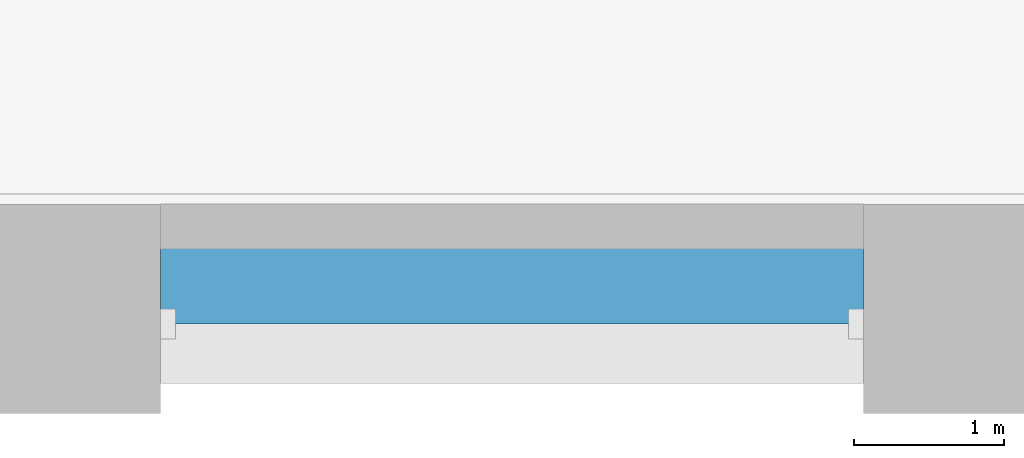
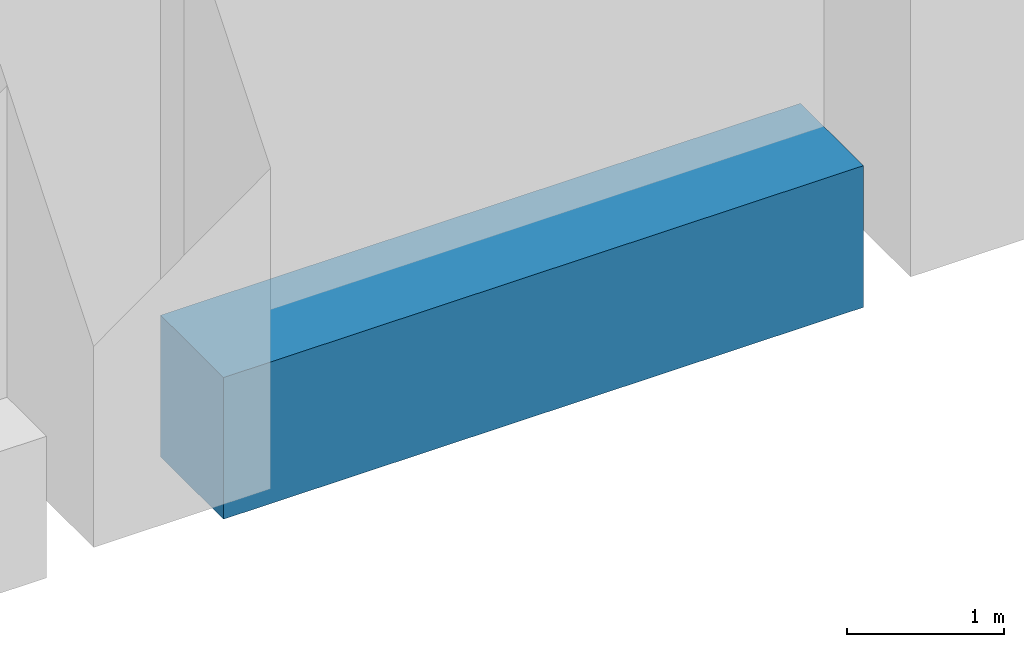
# One storey, part 3 of 18: 1 beam.
"""IFC4 building model written with IfcOpenShell, lengths in metres."""

from ifc_helpers import new_model, si_unit, direction, frame, origin, origin_2d, place, context, subcontext, project, spatial, rectangle, extrude, material, material_profile, profile_set, type_object, element, save


model = new_model("IFC4")

# Units and contexts
model_context = context("Model", 3, precision=1e-05, world=origin(), true_north=direction((0.0, 1.0)))
body_context = subcontext(model_context, "Body", "Model", "MODEL_VIEW")
ifc_project = project(units=[si_unit("LENGTHUNIT", "METRE"), si_unit("AREAUNIT", "SQUARE_METRE"), si_unit("VOLUMEUNIT", "CUBIC_METRE"), si_unit("PLANEANGLEUNIT", "RADIAN"), si_unit("MASSUNIT", "GRAM", prefix="KILO")], contexts=[model_context])

# Site, building, storey
site_placement = place(None, origin())
site = spatial("IfcSite", under=ifc_project, at=site_placement, CompositionType="ELEMENT")
building_placement = place(site_placement, origin())
building = spatial("IfcBuilding", under=site, at=building_placement, Name="Calvaro Tower", CompositionType="ELEMENT")
storey_placement = place(building_placement, frame((0.0, 0.0, 11.300048828125)))
storey = spatial("IfcBuildingStorey", under=building, at=storey_placement, Name="L02", CompositionType="ELEMENT", Elevation=11.300048828125)

# Beam
ifc_material = material(Name="Concrete C50/60 precast", Category="concrete")
ifc_material_profile = material_profile(ifc_material, rectangle(XDim=0.800048828125, YDim=1.10009765625, at=origin_2d()), Name="RC 800x1100")
ifc_profile_set = profile_set([ifc_material_profile], Name="Concrete C50/60 precast")
beam_type = type_object("IfcBeamType", Name="Spandrel beam 800x1100 C50/60", PredefinedType="SPANDREL", material=ifc_profile_set)
beam_placement = place(storey_placement, frame((60.64990234375, 1.0, -0.550048828125), z_axis=(1.0, 0.0, 0.0), x_axis=(0.0, 1.0, 0.0)))
element("IfcBeam", 1, at=beam_placement, inside=storey, type_object=beam_type, Name="Spandrel beam", PredefinedType="SPANDREL", context=body_context, shape_type="SweptSolid", body=[
    extrude(rectangle(XDim=0.800048828125, YDim=1.10009765625, at=origin_2d()), origin(), (0.0, 0.0, 1.0), 4.7001953125),
])

save(model, "model.ifc")
